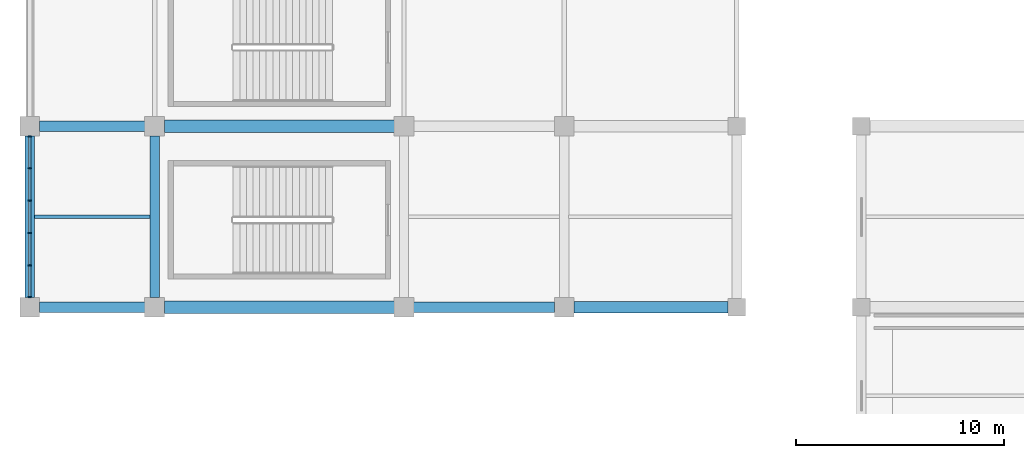
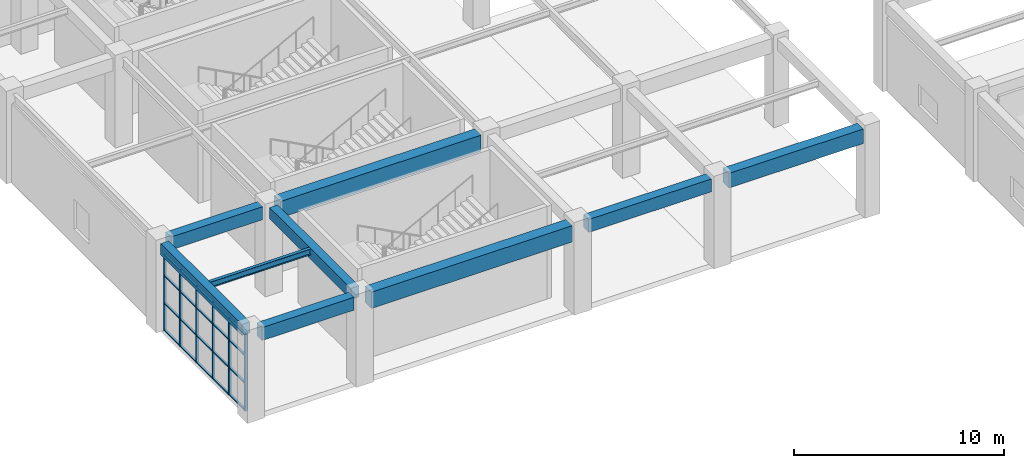
# One storey, part 13 of 120: 26 members, 9 beams, 1 element without a shape of its own.
"""IFC4 building model written with IfcOpenShell, lengths in metres."""

from ifc_helpers import new_model, si_unit, direction, frame, origin, origin_2d, place, context, subcontext, project, spatial, rectangle, i_section, extrude, material, material_profile, profile_set, type_object, element, aggregate, save


model = new_model("IFC4")

# Units and contexts
model_context = context("Model", 3, precision=1e-05, world=origin(), true_north=direction((0.0, 1.0)))
body_context = subcontext(model_context, "Body", "Model", "MODEL_VIEW")
ifc_project = project(units=[si_unit("LENGTHUNIT", "METRE"), si_unit("AREAUNIT", "SQUARE_METRE"), si_unit("VOLUMEUNIT", "CUBIC_METRE"), si_unit("PLANEANGLEUNIT", "RADIAN"), si_unit("MASSUNIT", "GRAM", prefix="KILO")], contexts=[model_context])

# Site, building, storey
site_placement = place(None, origin())
site = spatial("IfcSite", under=ifc_project, at=site_placement, CompositionType="ELEMENT")
building_placement = place(site_placement, origin())
building = spatial("IfcBuilding", under=site, at=building_placement, Name="Cuetzalor Civic Arena", CompositionType="ELEMENT")
storey_placement = place(building_placement, frame((0.0, 0.0, 6.0)))
storey = spatial("IfcBuildingStorey", under=building, at=storey_placement, Name="L01", CompositionType="ELEMENT", Elevation=6.0)

# Beams
ifc_material_1 = material(Name="Concrete C40/50", Category="concrete")
ifc_material_profile_1 = material_profile(ifc_material_1, rectangle(XDim=0.5, YDim=0.75, at=origin_2d()), Name="RC 500x750")
ifc_profile_set_1 = profile_set([ifc_material_profile_1], Name="Concrete C40/50")
beam_type_1 = type_object("IfcBeamType", Name="ConcreteFrameBeam_500x750", PredefinedType="BEAM", material=ifc_profile_set_1)
beam_1_placement = place(storey_placement, frame((-81.534912109375, -57.0, 4.7451171875), z_axis=(1.0, 0.0, 0.0), x_axis=(0.0, 1.0, 0.0)))
element("IfcBeam", 1, at=beam_1_placement, inside=storey, type_object=beam_type_1, Name="Frame Girder V4W-L01-X0345", PredefinedType="BEAM", context=body_context, shape_type="SweptSolid", body=[
    extrude(rectangle(XDim=0.5, YDim=0.75, at=origin_2d()), origin(), (0.0, 0.0, 1.0), 5.06982421875),
])
beam_2_placement = place(storey_placement, frame((-63.534912109375, -57.0, 4.7451171875), z_axis=(1.0, 0.0, 0.0), x_axis=(0.0, 1.0, 0.0)))
element("IfcBeam", 2, at=beam_2_placement, inside=storey, type_object=beam_type_1, Name="Frame Girder V4W-L01-X0347", PredefinedType="BEAM", context=body_context, shape_type="SweptSolid", body=[
    extrude(rectangle(XDim=0.5, YDim=0.75, at=origin_2d()), origin(), (0.0, 0.0, 1.0), 6.77001953125),
])
beam_3_placement = place(storey_placement, frame((-81.534912109375, -48.300048828125, 4.7451171875), z_axis=(1.0, 0.0, 0.0), x_axis=(0.0, 1.0, 0.0)))
element("IfcBeam", 3, at=beam_3_placement, inside=storey, type_object=beam_type_1, Name="Frame Girder V4W-L01-X0349", PredefinedType="BEAM", context=body_context, shape_type="SweptSolid", body=[
    extrude(rectangle(XDim=0.5, YDim=0.75, at=origin_2d()), origin(), (0.0, 0.0, 1.0), 5.06982421875),
])
ifc_material_2 = material(Name="Concrete C40/50", Category="concrete")
ifc_material_profile_2 = material_profile(ifc_material_2, rectangle(XDim=0.550048828125, YDim=0.85009765625, at=origin_2d()), Name="RC 550x850")
ifc_profile_set_2 = profile_set([ifc_material_profile_2], Name="Concrete C40/50")
beam_type_2 = type_object("IfcBeamType", Name="ConcreteFrameBeam_550x850", PredefinedType="BEAM", material=ifc_profile_set_2)
beam_4_placement = place(storey_placement, frame((-55.8349609375, -57.0, 4.695068359375), z_axis=(1.0, 0.0, 0.0), x_axis=(0.0, 1.0, 0.0)))
element("IfcBeam", 4, at=beam_4_placement, inside=storey, type_object=beam_type_2, Name="Frame Girder V4W-L01-X0348", PredefinedType="BEAM", context=body_context, shape_type="SweptSolid", body=[
    extrude(rectangle(XDim=0.550048828125, YDim=0.85009765625, at=origin_2d()), origin(), (0.0, 0.0, 1.0), 7.419921875),
])
ifc_material_3 = material(Name="Concrete C40/50", Category="concrete")
ifc_material_profile_3 = material_profile(ifc_material_3, rectangle(XDim=0.60009765625, YDim=0.949951171875, at=origin_2d()), Name="RC 600x950")
ifc_profile_set_3 = profile_set([ifc_material_profile_3], Name="Concrete C40/50")
beam_type_3 = type_object("IfcBeamType", Name="ConcreteFrameBeam_600x950", PredefinedType="BEAM", material=ifc_profile_set_3)
for number, where, z_axis, x_axis, name in (
    (5, (-75.534912109375, -57.0, 4.64501953125), (1.0, 0.0, 0.0), (0.0, 1.0, 0.0), "Frame Girder V4W-L01-X0346"),
    (6, (-75.534912109375, -48.300048828125, 4.64501953125), (1.0, 0.0, 0.0), (0.0, 1.0, 0.0), "Frame Girder V4W-L01-X0350"),
):
    element("IfcBeam", number, at=place(storey_placement, frame(where, z_axis=z_axis, x_axis=x_axis)), inside=storey, type_object=beam_type_3, Name=name, PredefinedType="BEAM", context=body_context, shape_type="SweptSolid", body=[
        extrude(rectangle(XDim=0.60009765625, YDim=0.949951171875, at=origin_2d()), origin(), (0.0, 0.0, 1.0), 11.06982421875),
    ])
ifc_material_4 = material(Name="Concrete C40/50", Category="concrete")
ifc_material_profile_4 = material_profile(ifc_material_4, rectangle(XDim=0.449951171875, YDim=0.64990234375, at=origin_2d()), Name="RC 450x650")
ifc_profile_set_4 = profile_set([ifc_material_profile_4], Name="Concrete C40/50")
beam_type_4 = type_object("IfcBeamType", Name="ConcreteTieBeam_450x650", PredefinedType="BEAM", material=ifc_profile_set_4)
for number, where, z_axis, x_axis, name in (
    (7, (-82.0, -56.534912109375, 4.794921875), (0.0, 1.0, 0.0), (-1.0, 0.0, 0.0), "Frame Girder V4W-L01-Y0381"),
    (8, (-76.0, -56.534912109375, 4.794921875), (0.0, 1.0, 0.0), (-1.0, 0.0, 0.0), "Frame Girder V4W-L01-Y0391"),
):
    element("IfcBeam", number, at=place(storey_placement, frame(where, z_axis=z_axis, x_axis=x_axis)), inside=storey, type_object=beam_type_4, Name=name, PredefinedType="BEAM", context=body_context, shape_type="SweptSolid", body=[
        extrude(rectangle(XDim=0.449951171875, YDim=0.64990234375, at=origin_2d()), origin(), (0.0, 0.0, 1.0), 7.77001953125),
    ])

# Curtain wall, members
ifc_material_5 = material(Name="Anodised dark bronze aluminium and low-E solar glass", Category="aluminium")
curtain_wall_type = type_object("IfcCurtainWallType", Name="UnitisedCW_7800x4450", PredefinedType="USERDEFINED", material=ifc_material_5)
curtain_wall_placement = place(storey_placement, origin())
curtain_wall = element("IfcCurtainWall", 9, at=curtain_wall_placement, inside=storey, type_object=curtain_wall_type, Name="V4W Suite Viewing Curtain Wall L01-108", ObjectType="UNITISED CURTAIN WALL", PredefinedType="USERDEFINED")
ifc_material_6 = material(Name="Anodised dark bronze aluminium", Category="aluminium")
ifc_material_profile_5 = material_profile(ifc_material_6, rectangle(XDim=0.06494140625, YDim=0.14990234375, at=origin_2d()), Name="ALU MULLION 65x150")
ifc_profile_set_5 = profile_set([ifc_material_profile_5], Name="Anodised dark bronze aluminium")
member_type_1 = type_object("IfcMemberType", Name="CurtainWallMullion_60x150", PredefinedType="MULLION", material=ifc_profile_set_5)
member_1_placement = place(storey_placement, frame((-82.0, -56.510498046875, 0.0), z_axis=(0.0, 0.0, 1.0), x_axis=(0.0, 1.0, 0.0)))
member_1 = element("IfcMember", 10, at=member_1_placement, type_object=member_type_1, Name="CW-36 mullion 1", PredefinedType="MULLION", context=body_context, shape_type="SweptSolid", body=[
    extrude(rectangle(XDim=0.06494140625, YDim=0.14990234375, at=origin_2d()), origin(), (0.0, 0.0, 1.0), 4.4599609375),
])
member_2_placement = place(storey_placement, frame((-82.0, -54.98583984375, 0.0), z_axis=(0.0, 0.0, 1.0), x_axis=(0.0, 1.0, 0.0)))
member_2 = element("IfcMember", 11, at=member_2_placement, type_object=member_type_1, Name="CW-36 mullion 2", PredefinedType="MULLION", context=body_context, shape_type="SweptSolid", body=[
    extrude(rectangle(XDim=0.06494140625, YDim=0.14990234375, at=origin_2d()), origin(), (0.0, 0.0, 1.0), 4.4599609375),
])
member_3_placement = place(storey_placement, frame((-82.0, -53.4287109375, 0.0), z_axis=(0.0, 0.0, 1.0), x_axis=(0.0, 1.0, 0.0)))
member_3 = element("IfcMember", 12, at=member_3_placement, type_object=member_type_1, Name="CW-36 mullion 3", PredefinedType="MULLION", context=body_context, shape_type="SweptSolid", body=[
    extrude(rectangle(XDim=0.06494140625, YDim=0.14990234375, at=origin_2d()), origin(), (0.0, 0.0, 1.0), 4.4599609375),
])
member_4_placement = place(storey_placement, frame((-82.0, -51.871337890625, 0.0), z_axis=(0.0, 0.0, 1.0), x_axis=(0.0, 1.0, 0.0)))
member_4 = element("IfcMember", 13, at=member_4_placement, type_object=member_type_1, Name="CW-36 mullion 4", PredefinedType="MULLION", context=body_context, shape_type="SweptSolid", body=[
    extrude(rectangle(XDim=0.06494140625, YDim=0.14990234375, at=origin_2d()), origin(), (0.0, 0.0, 1.0), 4.4599609375),
])
member_5_placement = place(storey_placement, frame((-82.0, -50.314208984375, 0.0), z_axis=(0.0, 0.0, 1.0), x_axis=(0.0, 1.0, 0.0)))
member_5 = element("IfcMember", 14, at=member_5_placement, type_object=member_type_1, Name="CW-36 mullion 5", PredefinedType="MULLION", context=body_context, shape_type="SweptSolid", body=[
    extrude(rectangle(XDim=0.06494140625, YDim=0.14990234375, at=origin_2d()), origin(), (0.0, 0.0, 1.0), 4.4599609375),
])
member_6_placement = place(storey_placement, frame((-82.0, -48.78955078125, 0.0), z_axis=(0.0, 0.0, 1.0), x_axis=(0.0, 1.0, 0.0)))
member_6 = element("IfcMember", 15, at=member_6_placement, type_object=member_type_1, Name="CW-36 mullion 6", PredefinedType="MULLION", context=body_context, shape_type="SweptSolid", body=[
    extrude(rectangle(XDim=0.06494140625, YDim=0.14990234375, at=origin_2d()), origin(), (0.0, 0.0, 1.0), 4.4599609375),
])
ifc_material_7 = material(Name="Anodised dark bronze aluminium", Category="aluminium")
ifc_material_profile_6 = material_profile(ifc_material_7, rectangle(XDim=0.1201171875, YDim=0.06494140625, at=origin_2d()), Name="ALU TRANSOM 65x120")
ifc_profile_set_6 = profile_set([ifc_material_profile_6], Name="Anodised dark bronze aluminium")
member_type_2 = type_object("IfcMemberType", Name="CurtainWallTransom_60x120", PredefinedType="USERDEFINED", material=ifc_profile_set_6)
member_7_placement = place(storey_placement, frame((-82.0, -56.47802734375, 0.032470703125), z_axis=(0.0, 1.0, 0.0), x_axis=(-1.0, 0.0, 0.0)))
member_7 = element("IfcMember", 16, at=member_7_placement, type_object=member_type_2, Name="CW-36 transom 1.1", ObjectType="TRANSOM", PredefinedType="USERDEFINED", context=body_context, shape_type="SweptSolid", body=[
    extrude(rectangle(XDim=0.1201171875, YDim=0.06494140625, at=origin_2d()), origin(), (0.0, 0.0, 1.0), 1.459716796875),
])
member_8_placement = place(storey_placement, frame((-82.0, -56.47802734375, 1.60595703125), z_axis=(0.0, 1.0, 0.0), x_axis=(-1.0, 0.0, 0.0)))
member_8 = element("IfcMember", 17, at=member_8_placement, type_object=member_type_2, Name="CW-36 transom 1.2", ObjectType="TRANSOM", PredefinedType="USERDEFINED", context=body_context, shape_type="SweptSolid", body=[
    extrude(rectangle(XDim=0.1201171875, YDim=0.06494140625, at=origin_2d()), origin(), (0.0, 0.0, 1.0), 1.459716796875),
])
member_9_placement = place(storey_placement, frame((-82.0, -56.47802734375, 3.2109375), z_axis=(0.0, 1.0, 0.0), x_axis=(-1.0, 0.0, 0.0)))
member_9 = element("IfcMember", 18, at=member_9_placement, type_object=member_type_2, Name="CW-36 transom 1.3", ObjectType="TRANSOM", PredefinedType="USERDEFINED", context=body_context, shape_type="SweptSolid", body=[
    extrude(rectangle(XDim=0.1201171875, YDim=0.06494140625, at=origin_2d()), origin(), (0.0, 0.0, 1.0), 1.459716796875),
])
member_10_placement = place(storey_placement, frame((-82.0, -56.47802734375, 4.427490234375), z_axis=(0.0, 1.0, 0.0), x_axis=(-1.0, 0.0, 0.0)))
member_10 = element("IfcMember", 19, at=member_10_placement, type_object=member_type_2, Name="CW-36 transom 1.4", ObjectType="TRANSOM", PredefinedType="USERDEFINED", context=body_context, shape_type="SweptSolid", body=[
    extrude(rectangle(XDim=0.1201171875, YDim=0.06494140625, at=origin_2d()), origin(), (0.0, 0.0, 1.0), 1.459716796875),
])
member_11_placement = place(storey_placement, frame((-82.0, -54.953369140625, 0.032470703125), z_axis=(0.0, 1.0, 0.0), x_axis=(-1.0, 0.0, 0.0)))
member_11 = element("IfcMember", 20, at=member_11_placement, type_object=member_type_2, Name="CW-36 transom 2.1", ObjectType="TRANSOM", PredefinedType="USERDEFINED", context=body_context, shape_type="SweptSolid", body=[
    extrude(rectangle(XDim=0.1201171875, YDim=0.06494140625, at=origin_2d()), origin(), (0.0, 0.0, 1.0), 1.4921875),
])
member_12_placement = place(storey_placement, frame((-82.0, -54.953369140625, 1.60595703125), z_axis=(0.0, 1.0, 0.0), x_axis=(-1.0, 0.0, 0.0)))
member_12 = element("IfcMember", 21, at=member_12_placement, type_object=member_type_2, Name="CW-36 transom 2.2", ObjectType="TRANSOM", PredefinedType="USERDEFINED", context=body_context, shape_type="SweptSolid", body=[
    extrude(rectangle(XDim=0.1201171875, YDim=0.06494140625, at=origin_2d()), origin(), (0.0, 0.0, 1.0), 1.4921875),
])
member_13_placement = place(storey_placement, frame((-82.0, -54.953369140625, 3.2109375), z_axis=(0.0, 1.0, 0.0), x_axis=(-1.0, 0.0, 0.0)))
member_13 = element("IfcMember", 22, at=member_13_placement, type_object=member_type_2, Name="CW-36 transom 2.3", ObjectType="TRANSOM", PredefinedType="USERDEFINED", context=body_context, shape_type="SweptSolid", body=[
    extrude(rectangle(XDim=0.1201171875, YDim=0.06494140625, at=origin_2d()), origin(), (0.0, 0.0, 1.0), 1.4921875),
])
member_14_placement = place(storey_placement, frame((-82.0, -54.953369140625, 4.427490234375), z_axis=(0.0, 1.0, 0.0), x_axis=(-1.0, 0.0, 0.0)))
member_14 = element("IfcMember", 23, at=member_14_placement, type_object=member_type_2, Name="CW-36 transom 2.4", ObjectType="TRANSOM", PredefinedType="USERDEFINED", context=body_context, shape_type="SweptSolid", body=[
    extrude(rectangle(XDim=0.1201171875, YDim=0.06494140625, at=origin_2d()), origin(), (0.0, 0.0, 1.0), 1.4921875),
])
member_15_placement = place(storey_placement, frame((-82.0, -53.39599609375, 0.032470703125), z_axis=(0.0, 1.0, 0.0), x_axis=(-1.0, 0.0, 0.0)))
member_15 = element("IfcMember", 24, at=member_15_placement, type_object=member_type_2, Name="CW-36 transom 3.1", ObjectType="TRANSOM", PredefinedType="USERDEFINED", context=body_context, shape_type="SweptSolid", body=[
    extrude(rectangle(XDim=0.1201171875, YDim=0.06494140625, at=origin_2d()), origin(), (0.0, 0.0, 1.0), 1.4921875),
])
member_16_placement = place(storey_placement, frame((-82.0, -53.39599609375, 1.60595703125), z_axis=(0.0, 1.0, 0.0), x_axis=(-1.0, 0.0, 0.0)))
member_16 = element("IfcMember", 25, at=member_16_placement, type_object=member_type_2, Name="CW-36 transom 3.2", ObjectType="TRANSOM", PredefinedType="USERDEFINED", context=body_context, shape_type="SweptSolid", body=[
    extrude(rectangle(XDim=0.1201171875, YDim=0.06494140625, at=origin_2d()), origin(), (0.0, 0.0, 1.0), 1.4921875),
])
member_17_placement = place(storey_placement, frame((-82.0, -53.39599609375, 3.2109375), z_axis=(0.0, 1.0, 0.0), x_axis=(-1.0, 0.0, 0.0)))
member_17 = element("IfcMember", 26, at=member_17_placement, type_object=member_type_2, Name="CW-36 transom 3.3", ObjectType="TRANSOM", PredefinedType="USERDEFINED", context=body_context, shape_type="SweptSolid", body=[
    extrude(rectangle(XDim=0.1201171875, YDim=0.06494140625, at=origin_2d()), origin(), (0.0, 0.0, 1.0), 1.4921875),
])
member_18_placement = place(storey_placement, frame((-82.0, -53.39599609375, 4.427490234375), z_axis=(0.0, 1.0, 0.0), x_axis=(-1.0, 0.0, 0.0)))
member_18 = element("IfcMember", 27, at=member_18_placement, type_object=member_type_2, Name="CW-36 transom 3.4", ObjectType="TRANSOM", PredefinedType="USERDEFINED", context=body_context, shape_type="SweptSolid", body=[
    extrude(rectangle(XDim=0.1201171875, YDim=0.06494140625, at=origin_2d()), origin(), (0.0, 0.0, 1.0), 1.4921875),
])
member_19_placement = place(storey_placement, frame((-82.0, -51.8388671875, 0.032470703125), z_axis=(0.0, 1.0, 0.0), x_axis=(-1.0, 0.0, 0.0)))
member_19 = element("IfcMember", 28, at=member_19_placement, type_object=member_type_2, Name="CW-36 transom 4.1", ObjectType="TRANSOM", PredefinedType="USERDEFINED", context=body_context, shape_type="SweptSolid", body=[
    extrude(rectangle(XDim=0.1201171875, YDim=0.06494140625, at=origin_2d()), origin(), (0.0, 0.0, 1.0), 1.4921875),
])
member_20_placement = place(storey_placement, frame((-82.0, -51.8388671875, 1.60595703125), z_axis=(0.0, 1.0, 0.0), x_axis=(-1.0, 0.0, 0.0)))
member_20 = element("IfcMember", 29, at=member_20_placement, type_object=member_type_2, Name="CW-36 transom 4.2", ObjectType="TRANSOM", PredefinedType="USERDEFINED", context=body_context, shape_type="SweptSolid", body=[
    extrude(rectangle(XDim=0.1201171875, YDim=0.06494140625, at=origin_2d()), origin(), (0.0, 0.0, 1.0), 1.4921875),
])
member_21_placement = place(storey_placement, frame((-82.0, -51.8388671875, 3.2109375), z_axis=(0.0, 1.0, 0.0), x_axis=(-1.0, 0.0, 0.0)))
member_21 = element("IfcMember", 30, at=member_21_placement, type_object=member_type_2, Name="CW-36 transom 4.3", ObjectType="TRANSOM", PredefinedType="USERDEFINED", context=body_context, shape_type="SweptSolid", body=[
    extrude(rectangle(XDim=0.1201171875, YDim=0.06494140625, at=origin_2d()), origin(), (0.0, 0.0, 1.0), 1.4921875),
])
member_22_placement = place(storey_placement, frame((-82.0, -51.8388671875, 4.427490234375), z_axis=(0.0, 1.0, 0.0), x_axis=(-1.0, 0.0, 0.0)))
member_22 = element("IfcMember", 31, at=member_22_placement, type_object=member_type_2, Name="CW-36 transom 4.4", ObjectType="TRANSOM", PredefinedType="USERDEFINED", context=body_context, shape_type="SweptSolid", body=[
    extrude(rectangle(XDim=0.1201171875, YDim=0.06494140625, at=origin_2d()), origin(), (0.0, 0.0, 1.0), 1.4921875),
])
member_23_placement = place(storey_placement, frame((-82.0, -50.28173828125, 0.032470703125), z_axis=(0.0, 1.0, 0.0), x_axis=(-1.0, 0.0, 0.0)))
member_23 = element("IfcMember", 32, at=member_23_placement, type_object=member_type_2, Name="CW-36 transom 5.1", ObjectType="TRANSOM", PredefinedType="USERDEFINED", context=body_context, shape_type="SweptSolid", body=[
    extrude(rectangle(XDim=0.1201171875, YDim=0.06494140625, at=origin_2d()), origin(), (0.0, 0.0, 1.0), 1.459716796875),
])
member_24_placement = place(storey_placement, frame((-82.0, -50.28173828125, 1.60595703125), z_axis=(0.0, 1.0, 0.0), x_axis=(-1.0, 0.0, 0.0)))
member_24 = element("IfcMember", 33, at=member_24_placement, type_object=member_type_2, Name="CW-36 transom 5.2", ObjectType="TRANSOM", PredefinedType="USERDEFINED", context=body_context, shape_type="SweptSolid", body=[
    extrude(rectangle(XDim=0.1201171875, YDim=0.06494140625, at=origin_2d()), origin(), (0.0, 0.0, 1.0), 1.459716796875),
])
member_25_placement = place(storey_placement, frame((-82.0, -50.28173828125, 3.2109375), z_axis=(0.0, 1.0, 0.0), x_axis=(-1.0, 0.0, 0.0)))
member_25 = element("IfcMember", 34, at=member_25_placement, type_object=member_type_2, Name="CW-36 transom 5.3", ObjectType="TRANSOM", PredefinedType="USERDEFINED", context=body_context, shape_type="SweptSolid", body=[
    extrude(rectangle(XDim=0.1201171875, YDim=0.06494140625, at=origin_2d()), origin(), (0.0, 0.0, 1.0), 1.459716796875),
])
member_26_placement = place(storey_placement, frame((-82.0, -50.28173828125, 4.427490234375), z_axis=(0.0, 1.0, 0.0), x_axis=(-1.0, 0.0, 0.0)))
member_26 = element("IfcMember", 35, at=member_26_placement, type_object=member_type_2, Name="CW-36 transom 5.4", ObjectType="TRANSOM", PredefinedType="USERDEFINED", context=body_context, shape_type="SweptSolid", body=[
    extrude(rectangle(XDim=0.1201171875, YDim=0.06494140625, at=origin_2d()), origin(), (0.0, 0.0, 1.0), 1.459716796875),
])
aggregate(curtain_wall, [member_1, member_2, member_3, member_4, member_5, member_6, member_7, member_8, member_9, member_10, member_11, member_12, member_13, member_14, member_15, member_16, member_17, member_18, member_19, member_20, member_21, member_22, member_23, member_24, member_25, member_26])

# Beam
ifc_material_8 = material(Name="Steel S355", Category="steel")
ifc_material_profile_7 = material_profile(ifc_material_8, i_section(OverallWidth=0.1708984375, OverallDepth=0.35498046875, WebThickness=0.007080078125, FlangeThickness=0.01171875, at=origin_2d()), Name="W360x51")
ifc_profile_set_7 = profile_set([ifc_material_profile_7], Name="Steel S355")
beam_type_5 = type_object("IfcBeamType", Name="SecondaryFloorJoist_W360", PredefinedType="JOIST", material=ifc_profile_set_7)
beam_5_placement = place(storey_placement, frame((-81.782958984375, -52.64990234375, 4.9423828125), z_axis=(1.0, 0.0, 0.0), x_axis=(0.0, 1.0, 0.0)))
element("IfcBeam", 36, at=beam_5_placement, inside=storey, type_object=beam_type_5, Name="Secondary Floor Joist V4W-L01-0105", PredefinedType="JOIST", context=body_context, shape_type="SweptSolid", body=[
    extrude(i_section(OverallWidth=0.1708984375, OverallDepth=0.35498046875, WebThickness=0.007080078125, FlangeThickness=0.01171875, at=origin_2d()), origin(), (0.0, 0.0, 1.0), 5.56591796875),
])

save(model, "model.ifc")
